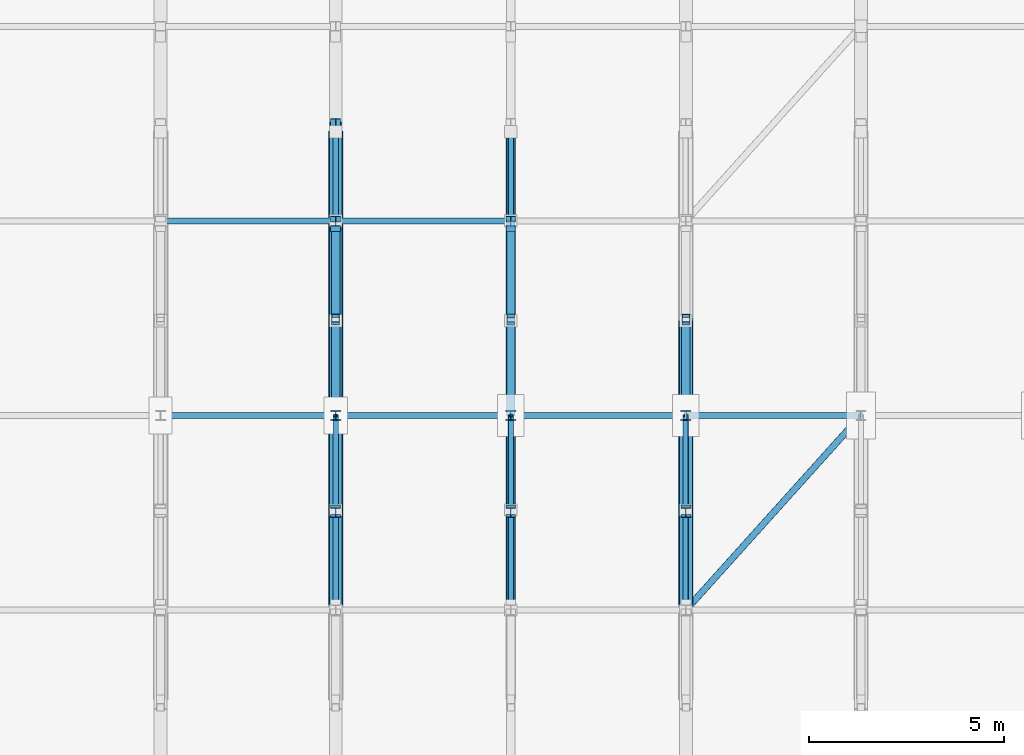
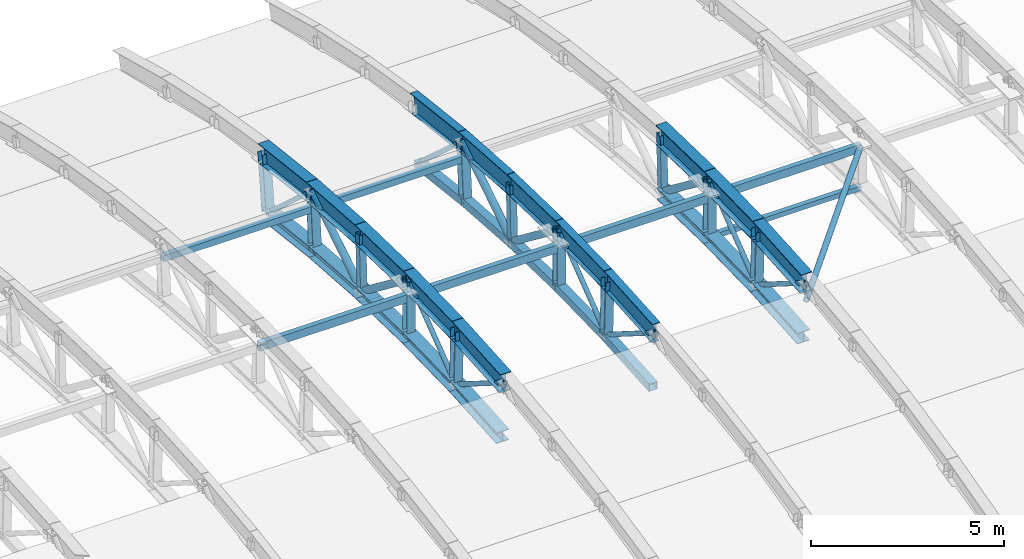
# One storey, part 24 of 53: 46 members, 13 beams.
"""IFC4 building model written with IfcOpenShell, lengths in metres."""

from ifc_helpers import new_model, si_unit, direction, frame, origin, origin_2d, place, context, subcontext, project, spatial, hollow_rectangle, hollow_circle, i_section, extrude, material, material_profile, profile_set, type_object, element, save


model = new_model("IFC4")

# Units and contexts
model_context = context("Model", 3, precision=1e-05, world=origin(), true_north=direction((0.0, 1.0)))
body_context = subcontext(model_context, "Body", "Model", "MODEL_VIEW")
ifc_project = project(units=[si_unit("LENGTHUNIT", "METRE"), si_unit("AREAUNIT", "SQUARE_METRE"), si_unit("VOLUMEUNIT", "CUBIC_METRE"), si_unit("PLANEANGLEUNIT", "RADIAN"), si_unit("MASSUNIT", "GRAM", prefix="KILO")], contexts=[model_context])

# Site, building, storey
site_placement = place(None, origin())
site = spatial("IfcSite", under=ifc_project, at=site_placement, CompositionType="ELEMENT")
building_placement = place(site_placement, origin())
building = spatial("IfcBuilding", under=site, at=building_placement, Name="Cazmaro Siding Exhibition Halls", CompositionType="ELEMENT")
storey_placement = place(building_placement, frame((0.0, 0.0, 21.0)))
storey = spatial("IfcBuildingStorey", under=building, at=storey_placement, Name="L04", CompositionType="ELEMENT", Elevation=21.0)

# Beams
ifc_material_1 = material(Name="Steel ASTM A992 Grade 50", Category="steel")
ifc_material_profile_1 = material_profile(ifc_material_1, i_section(OverallWidth=0.327880859375, OverallDepth=0.626953125, WebThickness=0.01708984375, FlangeThickness=0.028076171875, at=origin_2d()), Name="W24X146")
ifc_profile_set_1 = profile_set([ifc_material_profile_1], Name="Steel ASTM A992 Grade 50")
beam_type_1 = type_object("IfcBeamType", Name="AR-01", PredefinedType="USERDEFINED", material=ifc_profile_set_1)
beam_1_placement = place(storey_placement, frame((139.5, 89.0, 2.26611328125), z_axis=(0.0, 0.997537204184, 0.070139334669), x_axis=(-1.0, 0.0, 0.0)))
element("IfcBeam", 1, at=beam_1_placement, inside=storey, type_object=beam_type_1, Name="Space frame barrel vault arched rib AR-01 BM-1049", ObjectType="ARCHED RIB", PredefinedType="USERDEFINED", context=body_context, shape_type="SweptSolid", body=[
    extrude(i_section(OverallWidth=0.327880859375, OverallDepth=0.626953125, WebThickness=0.01708984375, FlangeThickness=0.028076171875, at=origin_2d()), origin(), (0.0, 0.0, 1.0), 2.506103515625),
])
for number, where, z_axis, x_axis, name in (
    (2, (139.5, 91.5, 2.44189453125), (0.0, 0.999730009742, 0.023235912336), (-1.0, 0.0, 0.0), "Space frame barrel vault arched rib AR-01 BM-1050"),
    (3, (139.5, 94.0, 2.5), (0.0, 0.999730009742, -0.023235912336), (-1.0, 0.0, 0.0), "Space frame barrel vault arched rib AR-01 BM-1051"),
):
    element("IfcBeam", number, at=place(storey_placement, frame(where, z_axis=z_axis, x_axis=x_axis)), inside=storey, type_object=beam_type_1, Name=name, ObjectType="ARCHED RIB", PredefinedType="USERDEFINED", context=body_context, shape_type="SweptSolid", body=[
        extrude(i_section(OverallWidth=0.327880859375, OverallDepth=0.626953125, WebThickness=0.01708984375, FlangeThickness=0.028076171875, at=origin_2d()), origin(), (0.0, 0.0, 1.0), 2.500732421875),
    ])
ifc_material_2 = material(Name="Steel ASTM A992 Grade 50", Category="steel")
ifc_material_profile_2 = material_profile(ifc_material_2, i_section(OverallWidth=0.324951171875, OverallDepth=0.612060546875, WebThickness=0.012939453125, FlangeThickness=0.01904296875, at=origin_2d()), Name="W24X104")
ifc_profile_set_2 = profile_set([ifc_material_profile_2], Name="Steel ASTM A992 Grade 50")
beam_type_2 = type_object("IfcBeamType", Name="AR-02", PredefinedType="USERDEFINED", material=ifc_profile_set_2)
beam_2_placement = place(storey_placement, frame((130.5, 89.0, 2.26611328125), z_axis=(0.0, 0.997537204184, 0.070139334669), x_axis=(-1.0, 0.0, 0.0)))
element("IfcBeam", 4, at=beam_2_placement, inside=storey, type_object=beam_type_2, Name="Space frame barrel vault arched rib AR-02 BM-1001", ObjectType="ARCHED RIB", PredefinedType="USERDEFINED", context=body_context, shape_type="SweptSolid", body=[
    extrude(i_section(OverallWidth=0.324951171875, OverallDepth=0.612060546875, WebThickness=0.012939453125, FlangeThickness=0.01904296875, at=origin_2d()), origin(), (0.0, 0.0, 1.0), 2.506103515625),
])
for number, where, z_axis, x_axis, name in (
    (5, (130.5, 91.5, 2.44189453125), (0.0, 0.999730009742, 0.023235912336), (-1.0, 0.0, 0.0), "Space frame barrel vault arched rib AR-02 BM-1002"),
    (6, (130.5, 94.0, 2.5), (0.0, 0.999730009742, -0.023235912336), (-1.0, 0.0, 0.0), "Space frame barrel vault arched rib AR-02 BM-1003"),
):
    element("IfcBeam", number, at=place(storey_placement, frame(where, z_axis=z_axis, x_axis=x_axis)), inside=storey, type_object=beam_type_2, Name=name, ObjectType="ARCHED RIB", PredefinedType="USERDEFINED", context=body_context, shape_type="SweptSolid", body=[
        extrude(i_section(OverallWidth=0.324951171875, OverallDepth=0.612060546875, WebThickness=0.012939453125, FlangeThickness=0.01904296875, at=origin_2d()), origin(), (0.0, 0.0, 1.0), 2.500732421875),
    ])
beam_3_placement = place(storey_placement, frame((130.5, 96.5, 2.44189453125), z_axis=(0.0, 0.997537204184, -0.070139334669), x_axis=(-1.0, 0.0, 0.0)))
element("IfcBeam", 7, at=beam_3_placement, inside=storey, type_object=beam_type_2, Name="Space frame barrel vault arched rib AR-02 BM-1004", ObjectType="ARCHED RIB", PredefinedType="USERDEFINED", context=body_context, shape_type="SweptSolid", body=[
    extrude(i_section(OverallWidth=0.324951171875, OverallDepth=0.612060546875, WebThickness=0.012939453125, FlangeThickness=0.01904296875, at=origin_2d()), origin(), (0.0, 0.0, 1.0), 2.506103515625),
])
beam_4_placement = place(storey_placement, frame((130.5, 99.0, 2.26611328125), z_axis=(0.0, 0.993147293786, -0.116869383693), x_axis=(-1.0, 0.0, 0.0)))
element("IfcBeam", 8, at=beam_4_placement, inside=storey, type_object=beam_type_2, Name="Space frame barrel vault arched rib AR-02 BM-1005", ObjectType="ARCHED RIB", PredefinedType="USERDEFINED", context=body_context, shape_type="SweptSolid", body=[
    extrude(i_section(OverallWidth=0.324951171875, OverallDepth=0.612060546875, WebThickness=0.012939453125, FlangeThickness=0.01904296875, at=origin_2d()), origin(), (0.0, 0.0, 1.0), 2.517333984375),
])
ifc_material_3 = material(Name="Steel ASTM A992 Grade 50", Category="steel")
ifc_material_profile_3 = material_profile(ifc_material_3, i_section(OverallWidth=0.22900390625, OverallDepth=0.612060546875, WebThickness=0.011962890625, FlangeThickness=0.02001953125, at=origin_2d()), Name="W24X84")
ifc_profile_set_3 = profile_set([ifc_material_profile_3], Name="Steel ASTM A992 Grade 50")
beam_type_3 = type_object("IfcBeamType", Name="AR-03", PredefinedType="USERDEFINED", material=ifc_profile_set_3)
beam_5_placement = place(storey_placement, frame((135.0, 89.0, 2.26611328125), z_axis=(0.0, 0.997537204184, 0.070139334669), x_axis=(-1.0, 0.0, 0.0)))
element("IfcBeam", 9, at=beam_5_placement, inside=storey, type_object=beam_type_3, Name="Space frame barrel vault arched rib AR-03 BM-1025", ObjectType="ARCHED RIB", PredefinedType="USERDEFINED", context=body_context, shape_type="SweptSolid", body=[
    extrude(i_section(OverallWidth=0.22900390625, OverallDepth=0.612060546875, WebThickness=0.011962890625, FlangeThickness=0.02001953125, at=origin_2d()), origin(), (0.0, 0.0, 1.0), 2.506103515625),
])
for number, where, z_axis, x_axis, name in (
    (10, (135.0, 91.5, 2.44189453125), (0.0, 0.999730009742, 0.023235912336), (-1.0, 0.0, 0.0), "Space frame barrel vault arched rib AR-03 BM-1026"),
    (11, (135.0, 94.0, 2.5), (0.0, 0.999730009742, -0.023235912336), (-1.0, 0.0, 0.0), "Space frame barrel vault arched rib AR-03 BM-1027"),
):
    element("IfcBeam", number, at=place(storey_placement, frame(where, z_axis=z_axis, x_axis=x_axis)), inside=storey, type_object=beam_type_3, Name=name, ObjectType="ARCHED RIB", PredefinedType="USERDEFINED", context=body_context, shape_type="SweptSolid", body=[
        extrude(i_section(OverallWidth=0.22900390625, OverallDepth=0.612060546875, WebThickness=0.011962890625, FlangeThickness=0.02001953125, at=origin_2d()), origin(), (0.0, 0.0, 1.0), 2.500732421875),
    ])
beam_6_placement = place(storey_placement, frame((135.0, 96.5, 2.44189453125), z_axis=(0.0, 0.997537204184, -0.070139334669), x_axis=(-1.0, 0.0, 0.0)))
element("IfcBeam", 12, at=beam_6_placement, inside=storey, type_object=beam_type_3, Name="Space frame barrel vault arched rib AR-03 BM-1028", ObjectType="ARCHED RIB", PredefinedType="USERDEFINED", context=body_context, shape_type="SweptSolid", body=[
    extrude(i_section(OverallWidth=0.22900390625, OverallDepth=0.612060546875, WebThickness=0.011962890625, FlangeThickness=0.02001953125, at=origin_2d()), origin(), (0.0, 0.0, 1.0), 2.506103515625),
])
beam_7_placement = place(storey_placement, frame((135.0, 99.0, 2.26611328125), z_axis=(0.0, 0.993147293786, -0.116869383693), x_axis=(-1.0, 0.0, 0.0)))
element("IfcBeam", 13, at=beam_7_placement, inside=storey, type_object=beam_type_3, Name="Space frame barrel vault arched rib AR-03 BM-1029", ObjectType="ARCHED RIB", PredefinedType="USERDEFINED", context=body_context, shape_type="SweptSolid", body=[
    extrude(i_section(OverallWidth=0.22900390625, OverallDepth=0.612060546875, WebThickness=0.011962890625, FlangeThickness=0.02001953125, at=origin_2d()), origin(), (0.0, 0.0, 1.0), 2.517333984375),
])

# Members
ifc_material_4 = material(Name="Steel ASTM A500 Grade C", Category="steel")
ifc_material_profile_4 = material_profile(ifc_material_4, hollow_rectangle(XDim=0.152099609375, YDim=0.152099609375, WallThickness=0.009033203125, at=origin_2d()), Name="HSS6X6X3/8")
ifc_profile_set_4 = profile_set([ifc_material_profile_4], Name="Steel ASTM A500 Grade C")
member_type_1 = type_object("IfcMemberType", Name="CS-01", PredefinedType="STRUT", material=ifc_profile_set_4)
member_1_placement = place(storey_placement, frame((139.5, 94.0, 0.699951171875), z_axis=(1.0, 0.0, 0.0), x_axis=(0.0, 1.0, 0.0)))
element("IfcMember", 14, at=member_1_placement, inside=storey, type_object=member_type_1, Name="Space frame vault ridge compression strut CS-01 MEM-2228", PredefinedType="STRUT", context=body_context, shape_type="SweptSolid", body=[
    extrude(hollow_rectangle(XDim=0.152099609375, YDim=0.152099609375, WallThickness=0.009033203125, at=origin_2d()), origin(), (0.0, 0.0, 1.0), 4.5),
])
ifc_material_5 = material(Name="Steel ASTM A500 Grade C", Category="steel")
ifc_material_profile_5 = material_profile(ifc_material_5, hollow_rectangle(XDim=0.152099609375, YDim=0.202880859375, WallThickness=0.011962890625, at=origin_2d()), Name="HSS8X6X1/2")
ifc_profile_set_5 = profile_set([ifc_material_profile_5], Name="Steel ASTM A500 Grade C")
member_type_2 = type_object("IfcMemberType", Name="RP-01", PredefinedType="PURLIN", material=ifc_profile_set_5)
for number, where, z_axis, x_axis, name in (
    (15, (126.0, 99.0, 1.72607421875), (1.0, 0.0, 0.0), (0.0, 1.0, 0.0), "Space frame barrel vault purlin RP-01 MEM-2186"),
    (16, (130.5, 99.0, 1.72607421875), (1.0, 0.0, 0.0), (0.0, 1.0, 0.0), "Space frame barrel vault purlin RP-01 MEM-2197"),
):
    element("IfcMember", number, at=place(storey_placement, frame(where, z_axis=z_axis, x_axis=x_axis)), inside=storey, type_object=member_type_2, Name=name, PredefinedType="PURLIN", context=body_context, shape_type="SweptSolid", body=[
        extrude(hollow_rectangle(XDim=0.152099609375, YDim=0.202880859375, WallThickness=0.011962890625, at=origin_2d()), origin(), (0.0, 0.0, 1.0), 4.5),
    ])
ifc_material_6 = material(Name="Steel ASTM A500 Grade C", Category="steel")
ifc_material_profile_6 = material_profile(ifc_material_6, hollow_rectangle(XDim=0.152099609375, YDim=0.25390625, WallThickness=0.011962890625, at=origin_2d()), Name="HSS10X6X1/2")
ifc_profile_set_6 = profile_set([ifc_material_profile_6], Name="Steel ASTM A500 Grade C")
member_type_3 = type_object("IfcMemberType", Name="RP-04", PredefinedType="PURLIN", material=ifc_profile_set_6)
for number, where, z_axis, x_axis, name in (
    (17, (126.0, 94.0, 1.9599609375), (1.0, 0.0, 0.0), (0.0, 1.0, 0.0), "Space frame barrel vault purlin RP-04 MEM-2185"),
    (18, (130.5, 94.0, 1.9599609375), (1.0, 0.0, 0.0), (0.0, 1.0, 0.0), "Space frame barrel vault purlin RP-04 MEM-2196"),
    (19, (135.0, 94.0, 1.9599609375), (1.0, 0.0, 0.0), (0.0, 1.0, 0.0), "Space frame barrel vault purlin RP-04 MEM-2207"),
    (20, (139.5, 94.0, 1.9599609375), (1.0, 0.0, 0.0), (0.0, 1.0, 0.0), "Space frame barrel vault purlin RP-04 MEM-2218"),
):
    element("IfcMember", number, at=place(storey_placement, frame(where, z_axis=z_axis, x_axis=x_axis)), inside=storey, type_object=member_type_3, Name=name, PredefinedType="PURLIN", context=body_context, shape_type="SweptSolid", body=[
        extrude(hollow_rectangle(XDim=0.152099609375, YDim=0.25390625, WallThickness=0.011962890625, at=origin_2d()), origin(), (0.0, 0.0, 1.0), 4.5),
    ])
ifc_material_7 = material(Name="Steel ASTM A500 Grade C", Category="steel")
ifc_material_profile_7 = material_profile(ifc_material_7, hollow_rectangle(XDim=0.25390625, YDim=0.25390625, WallThickness=0.014892578125, at=origin_2d()), Name="HSS10X10X5/8")
ifc_profile_set_7 = profile_set([ifc_material_profile_7], Name="Steel ASTM A500 Grade C")
member_type_4 = type_object("IfcMemberType", Name="TC-01", PredefinedType="CHORD", material=ifc_profile_set_7)
member_2_placement = place(storey_placement, frame((135.0, 89.139892578125, 0.472900390625), z_axis=(0.0, 0.997529419526, 0.070249962135), x_axis=(-1.0, 0.0, 0.0)))
element("IfcMember", 21, at=member_2_placement, inside=storey, type_object=member_type_4, Name="Space frame barrel vault bottom chord TC-01 MEM-1393", PredefinedType="CHORD", context=body_context, shape_type="SweptSolid", body=[
    extrude(hollow_rectangle(XDim=0.25390625, YDim=0.25390625, WallThickness=0.014892578125, at=origin_2d()), origin(), (0.0, 0.0, 1.0), 2.436279296875),
])
for number, where, z_axis, x_axis, name in (
    (22, (135.0, 91.570068359375, 0.64404296875), (0.0, 0.99973541783, 0.023002050707), (-1.0, 0.0, 0.0), "Space frame barrel vault bottom chord TC-01 MEM-1395"),
    (23, (135.0, 94.0, 0.699951171875), (0.0, 0.99973541783, -0.023002050707), (-1.0, 0.0, 0.0), "Space frame barrel vault bottom chord TC-01 MEM-1397"),
):
    element("IfcMember", number, at=place(storey_placement, frame(where, z_axis=z_axis, x_axis=x_axis)), inside=storey, type_object=member_type_4, Name=name, PredefinedType="CHORD", context=body_context, shape_type="SweptSolid", body=[
        extrude(hollow_rectangle(XDim=0.25390625, YDim=0.25390625, WallThickness=0.014892578125, at=origin_2d()), origin(), (0.0, 0.0, 1.0), 2.4306640625),
    ])
member_3_placement = place(storey_placement, frame((135.0, 96.429931640625, 0.64404296875), z_axis=(0.0, 0.997529419526, -0.070249962135), x_axis=(-1.0, 0.0, 0.0)))
element("IfcMember", 24, at=member_3_placement, inside=storey, type_object=member_type_4, Name="Space frame barrel vault bottom chord TC-01 MEM-1399", PredefinedType="CHORD", context=body_context, shape_type="SweptSolid", body=[
    extrude(hollow_rectangle(XDim=0.25390625, YDim=0.25390625, WallThickness=0.014892578125, at=origin_2d()), origin(), (0.0, 0.0, 1.0), 2.436279296875),
])
member_4_placement = place(storey_placement, frame((135.0, 98.860107421875, 0.472900390625), z_axis=(0.0, 0.993149923187, -0.116847037079), x_axis=(-1.0, 0.0, 0.0)))
element("IfcMember", 25, at=member_4_placement, inside=storey, type_object=member_type_4, Name="Space frame barrel vault bottom chord TC-01 MEM-1401", PredefinedType="CHORD", context=body_context, shape_type="SweptSolid", body=[
    extrude(hollow_rectangle(XDim=0.25390625, YDim=0.25390625, WallThickness=0.014892578125, at=origin_2d()), origin(), (0.0, 0.0, 1.0), 2.44677734375),
])
ifc_material_8 = material(Name="Steel ASTM A992 Grade 50", Category="steel")
ifc_material_profile_8 = material_profile(ifc_material_8, i_section(OverallWidth=0.37109375, OverallDepth=0.364013671875, WebThickness=0.012939453125, FlangeThickness=0.02197265625, at=origin_2d()), Name="W14X109")
ifc_profile_set_8 = profile_set([ifc_material_profile_8], Name="Steel ASTM A992 Grade 50")
member_type_5 = type_object("IfcMemberType", Name="TC-06", PredefinedType="CHORD", material=ifc_profile_set_8)
member_5_placement = place(storey_placement, frame((130.5, 89.139892578125, 0.472900390625), z_axis=(0.0, 0.997529419526, 0.070249962135), x_axis=(-1.0, 0.0, 0.0)))
element("IfcMember", 26, at=member_5_placement, inside=storey, type_object=member_type_5, Name="Space frame barrel vault bottom chord TC-06 MEM-1322", PredefinedType="CHORD", context=body_context, shape_type="SweptSolid", body=[
    extrude(i_section(OverallWidth=0.37109375, OverallDepth=0.364013671875, WebThickness=0.012939453125, FlangeThickness=0.02197265625, at=origin_2d()), origin(), (0.0, 0.0, 1.0), 2.436279296875),
])
for number, where, z_axis, x_axis, name in (
    (27, (130.5, 91.570068359375, 0.64404296875), (0.0, 0.99973541783, 0.023002050707), (-1.0, 0.0, 0.0), "Space frame barrel vault bottom chord TC-06 MEM-1324"),
    (28, (130.5, 94.0, 0.699951171875), (0.0, 0.99973541783, -0.023002050707), (-1.0, 0.0, 0.0), "Space frame barrel vault bottom chord TC-06 MEM-1326"),
):
    element("IfcMember", number, at=place(storey_placement, frame(where, z_axis=z_axis, x_axis=x_axis)), inside=storey, type_object=member_type_5, Name=name, PredefinedType="CHORD", context=body_context, shape_type="SweptSolid", body=[
        extrude(i_section(OverallWidth=0.37109375, OverallDepth=0.364013671875, WebThickness=0.012939453125, FlangeThickness=0.02197265625, at=origin_2d()), origin(), (0.0, 0.0, 1.0), 2.4306640625),
    ])
member_6_placement = place(storey_placement, frame((130.5, 96.429931640625, 0.64404296875), z_axis=(0.0, 0.997529419526, -0.070249962135), x_axis=(-1.0, 0.0, 0.0)))
element("IfcMember", 29, at=member_6_placement, inside=storey, type_object=member_type_5, Name="Space frame barrel vault bottom chord TC-06 MEM-1328", PredefinedType="CHORD", context=body_context, shape_type="SweptSolid", body=[
    extrude(i_section(OverallWidth=0.37109375, OverallDepth=0.364013671875, WebThickness=0.012939453125, FlangeThickness=0.02197265625, at=origin_2d()), origin(), (0.0, 0.0, 1.0), 2.436279296875),
])
member_7_placement = place(storey_placement, frame((130.5, 98.860107421875, 0.472900390625), z_axis=(0.0, 0.993149923187, -0.116847037079), x_axis=(-1.0, 0.0, 0.0)))
element("IfcMember", 30, at=member_7_placement, inside=storey, type_object=member_type_5, Name="Space frame barrel vault bottom chord TC-06 MEM-1330", PredefinedType="CHORD", context=body_context, shape_type="SweptSolid", body=[
    extrude(i_section(OverallWidth=0.37109375, OverallDepth=0.364013671875, WebThickness=0.012939453125, FlangeThickness=0.02197265625, at=origin_2d()), origin(), (0.0, 0.0, 1.0), 2.44677734375),
])
member_8_placement = place(storey_placement, frame((139.5, 89.139892578125, 0.472900390625), z_axis=(0.0, 0.997529419526, 0.070249962135), x_axis=(-1.0, 0.0, 0.0)))
element("IfcMember", 31, at=member_8_placement, inside=storey, type_object=member_type_5, Name="Space frame barrel vault bottom chord TC-06 MEM-1464", PredefinedType="CHORD", context=body_context, shape_type="SweptSolid", body=[
    extrude(i_section(OverallWidth=0.37109375, OverallDepth=0.364013671875, WebThickness=0.012939453125, FlangeThickness=0.02197265625, at=origin_2d()), origin(), (0.0, 0.0, 1.0), 2.436279296875),
])
for number, where, z_axis, x_axis, name in (
    (32, (139.5, 91.570068359375, 0.64404296875), (0.0, 0.99973541783, 0.023002050707), (-1.0, 0.0, 0.0), "Space frame barrel vault bottom chord TC-06 MEM-1466"),
    (33, (139.5, 94.0, 0.699951171875), (0.0, 0.99973541783, -0.023002050707), (-1.0, 0.0, 0.0), "Space frame barrel vault bottom chord TC-06 MEM-1468"),
):
    element("IfcMember", number, at=place(storey_placement, frame(where, z_axis=z_axis, x_axis=x_axis)), inside=storey, type_object=member_type_5, Name=name, PredefinedType="CHORD", context=body_context, shape_type="SweptSolid", body=[
        extrude(i_section(OverallWidth=0.37109375, OverallDepth=0.364013671875, WebThickness=0.012939453125, FlangeThickness=0.02197265625, at=origin_2d()), origin(), (0.0, 0.0, 1.0), 2.4306640625),
    ])
ifc_material_9 = material(Name="Steel ASTM A500 Grade C", Category="steel")
ifc_material_profile_9 = material_profile(ifc_material_9, hollow_rectangle(XDim=0.202880859375, YDim=0.202880859375, WallThickness=0.011962890625, at=origin_2d()), Name="HSS8X8X1/2")
ifc_profile_set_9 = profile_set([ifc_material_profile_9], Name="Steel ASTM A500 Grade C")
member_type_6 = type_object("IfcMemberType", Name="TP-01", PredefinedType="POST", material=ifc_profile_set_9)
for number, where, z_axis, x_axis, name in (
    (34, (130.5, 96.429931640625, 0.64404296875), (0.0, 0.038943818889, 0.999241401749), (-1.0, 0.0, 0.0), "Space frame barrel vault post TP-01 MEM-1362"),
    (35, (135.0, 96.429931640625, 0.64404296875), (0.0, 0.038943818889, 0.999241401749), (-1.0, 0.0, 0.0), "Space frame barrel vault post TP-01 MEM-1433"),
    (36, (139.5, 96.429931640625, 0.64404296875), (0.0, 0.038943818889, 0.999241401749), (-1.0, 0.0, 0.0), "Space frame barrel vault post TP-01 MEM-1504"),
):
    element("IfcMember", number, at=place(storey_placement, frame(where, z_axis=z_axis, x_axis=x_axis)), inside=storey, type_object=member_type_6, Name=name, PredefinedType="POST", context=body_context, shape_type="SweptSolid", body=[
        extrude(hollow_rectangle(XDim=0.202880859375, YDim=0.202880859375, WallThickness=0.011962890625, at=origin_2d()), origin(), (0.0, 0.0, 1.0), 1.79931640625),
    ])
ifc_material_10 = material(Name="Steel ASTM A992 Grade 50", Category="steel")
ifc_material_profile_10 = material_profile(ifc_material_10, i_section(OverallWidth=0.25390625, OverallDepth=0.25390625, WebThickness=0.009033203125, FlangeThickness=0.013916015625, at=origin_2d()), Name="W10X49")
ifc_profile_set_10 = profile_set([ifc_material_profile_10], Name="Steel ASTM A992 Grade 50")
member_type_7 = type_object("IfcMemberType", Name="TP-04", PredefinedType="POST", material=ifc_profile_set_10)
member_9_placement = place(storey_placement, frame((130.5, 91.570068359375, 0.64404296875), z_axis=(0.0, -0.038943818889, 0.999241401749), x_axis=(1.0, 0.0, 0.0)))
element("IfcMember", 37, at=member_9_placement, inside=storey, type_object=member_type_7, Name="Space frame barrel vault post TP-04 MEM-1360", PredefinedType="POST", context=body_context, shape_type="SweptSolid", body=[
    extrude(i_section(OverallWidth=0.25390625, OverallDepth=0.25390625, WebThickness=0.009033203125, FlangeThickness=0.013916015625, at=origin_2d()), origin(), (0.0, 0.0, 1.0), 1.79931640625),
])
member_10_placement = place(storey_placement, frame((130.5, 94.0, 0.699951171875), z_axis=(0.0, 0.0, 1.0), x_axis=(1.0, 0.0, 0.0)))
element("IfcMember", 38, at=member_10_placement, inside=storey, type_object=member_type_7, Name="Space frame barrel vault post TP-04 MEM-1361", PredefinedType="POST", context=body_context, shape_type="SweptSolid", body=[
    extrude(i_section(OverallWidth=0.25390625, OverallDepth=0.25390625, WebThickness=0.009033203125, FlangeThickness=0.013916015625, at=origin_2d()), origin(), (0.0, 0.0, 1.0), 1.800048828125),
])
member_11_placement = place(storey_placement, frame((130.5, 98.860107421875, 0.472900390625), z_axis=(0.0, 0.077775943468, 0.996970863475), x_axis=(-1.0, 0.0, 0.0)))
element("IfcMember", 39, at=member_11_placement, inside=storey, type_object=member_type_7, Name="Space frame barrel vault post TP-04 MEM-1363", PredefinedType="POST", context=body_context, shape_type="SweptSolid", body=[
    extrude(i_section(OverallWidth=0.25390625, OverallDepth=0.25390625, WebThickness=0.009033203125, FlangeThickness=0.013916015625, at=origin_2d()), origin(), (0.0, 0.0, 1.0), 1.798583984375),
])
member_12_placement = place(storey_placement, frame((130.5, 101.2900390625, 0.18701171875), z_axis=(0.0, 0.116825484133, 0.993152458718), x_axis=(-1.0, 0.0, 0.0)))
element("IfcMember", 40, at=member_12_placement, inside=storey, type_object=member_type_7, Name="Space frame barrel vault post TP-04 MEM-1364", PredefinedType="POST", context=body_context, shape_type="SweptSolid", body=[
    extrude(i_section(OverallWidth=0.25390625, OverallDepth=0.25390625, WebThickness=0.009033203125, FlangeThickness=0.013916015625, at=origin_2d()), origin(), (0.0, 0.0, 1.0), 1.797119140625),
])
member_13_placement = place(storey_placement, frame((135.0, 91.570068359375, 0.64404296875), z_axis=(0.0, -0.038943818889, 0.999241401749), x_axis=(1.0, 0.0, 0.0)))
element("IfcMember", 41, at=member_13_placement, inside=storey, type_object=member_type_7, Name="Space frame barrel vault post TP-04 MEM-1431", PredefinedType="POST", context=body_context, shape_type="SweptSolid", body=[
    extrude(i_section(OverallWidth=0.25390625, OverallDepth=0.25390625, WebThickness=0.009033203125, FlangeThickness=0.013916015625, at=origin_2d()), origin(), (0.0, 0.0, 1.0), 1.79931640625),
])
member_14_placement = place(storey_placement, frame((135.0, 94.0, 0.699951171875), z_axis=(0.0, 0.0, 1.0), x_axis=(1.0, 0.0, 0.0)))
element("IfcMember", 42, at=member_14_placement, inside=storey, type_object=member_type_7, Name="Space frame barrel vault post TP-04 MEM-1432", PredefinedType="POST", context=body_context, shape_type="SweptSolid", body=[
    extrude(i_section(OverallWidth=0.25390625, OverallDepth=0.25390625, WebThickness=0.009033203125, FlangeThickness=0.013916015625, at=origin_2d()), origin(), (0.0, 0.0, 1.0), 1.800048828125),
])
member_15_placement = place(storey_placement, frame((135.0, 98.860107421875, 0.472900390625), z_axis=(0.0, 0.077775943468, 0.996970863475), x_axis=(-1.0, 0.0, 0.0)))
element("IfcMember", 43, at=member_15_placement, inside=storey, type_object=member_type_7, Name="Space frame barrel vault post TP-04 MEM-1434", PredefinedType="POST", context=body_context, shape_type="SweptSolid", body=[
    extrude(i_section(OverallWidth=0.25390625, OverallDepth=0.25390625, WebThickness=0.009033203125, FlangeThickness=0.013916015625, at=origin_2d()), origin(), (0.0, 0.0, 1.0), 1.798583984375),
])
member_16_placement = place(storey_placement, frame((139.5, 91.570068359375, 0.64404296875), z_axis=(0.0, -0.038943818889, 0.999241401749), x_axis=(1.0, 0.0, 0.0)))
element("IfcMember", 44, at=member_16_placement, inside=storey, type_object=member_type_7, Name="Space frame barrel vault post TP-04 MEM-1502", PredefinedType="POST", context=body_context, shape_type="SweptSolid", body=[
    extrude(i_section(OverallWidth=0.25390625, OverallDepth=0.25390625, WebThickness=0.009033203125, FlangeThickness=0.013916015625, at=origin_2d()), origin(), (0.0, 0.0, 1.0), 1.79931640625),
])
member_17_placement = place(storey_placement, frame((139.5, 94.0, 0.699951171875), z_axis=(0.0, 0.0, 1.0), x_axis=(1.0, 0.0, 0.0)))
element("IfcMember", 45, at=member_17_placement, inside=storey, type_object=member_type_7, Name="Space frame barrel vault post TP-04 MEM-1503", PredefinedType="POST", context=body_context, shape_type="SweptSolid", body=[
    extrude(i_section(OverallWidth=0.25390625, OverallDepth=0.25390625, WebThickness=0.009033203125, FlangeThickness=0.013916015625, at=origin_2d()), origin(), (0.0, 0.0, 1.0), 1.800048828125),
])
ifc_material_11 = material(Name="Steel ASTM A500 Grade C", Category="steel")
ifc_material_profile_11 = material_profile(ifc_material_11, hollow_circle(Radius=0.109619140625, WallThickness=0.012939453125, at=origin_2d()), Name="PIPE8XS")
ifc_profile_set_11 = profile_set([ifc_material_profile_11], Name="Steel ASTM A500 Grade C")
member_type_8 = type_object("IfcMemberType", Name="WB-01", PredefinedType="BRACE", material=ifc_profile_set_11)
member_18_placement = place(storey_placement, frame((130.5, 94.0, 2.5), z_axis=(0.0, 0.794708988455, -0.60699062898), x_axis=(-1.0, 0.0, 0.0)))
element("IfcMember", 46, at=member_18_placement, inside=storey, type_object=member_type_8, Name="Space frame barrel vault diagonal WB-01 MEM-1327", PredefinedType="BRACE", context=body_context, shape_type="SweptSolid", body=[
    extrude(hollow_circle(Radius=0.109619140625, WallThickness=0.012939453125, at=origin_2d()), origin(), (0.0, 0.0, 1.0), 3.0576171875),
])
member_19_placement = place(storey_placement, frame((130.5, 96.429931640625, 0.64404296875), z_axis=(0.0, 0.84565684294, 0.533726993872), x_axis=(-1.0, 0.0, 0.0)))
element("IfcMember", 47, at=member_19_placement, inside=storey, type_object=member_type_8, Name="Space frame barrel vault diagonal WB-01 MEM-1329", PredefinedType="BRACE", context=body_context, shape_type="SweptSolid", body=[
    extrude(hollow_circle(Radius=0.109619140625, WallThickness=0.012939453125, at=origin_2d()), origin(), (0.0, 0.0, 1.0), 3.0390625),
])
member_20_placement = place(storey_placement, frame((135.0, 94.0, 2.5), z_axis=(0.0, 0.794708988455, -0.60699062898), x_axis=(-1.0, 0.0, 0.0)))
element("IfcMember", 48, at=member_20_placement, inside=storey, type_object=member_type_8, Name="Space frame barrel vault diagonal WB-01 MEM-1398", PredefinedType="BRACE", context=body_context, shape_type="SweptSolid", body=[
    extrude(hollow_circle(Radius=0.109619140625, WallThickness=0.012939453125, at=origin_2d()), origin(), (0.0, 0.0, 1.0), 3.0576171875),
])
member_21_placement = place(storey_placement, frame((135.0, 96.429931640625, 0.64404296875), z_axis=(0.0, 0.84565684294, 0.533726993872), x_axis=(-1.0, 0.0, 0.0)))
element("IfcMember", 49, at=member_21_placement, inside=storey, type_object=member_type_8, Name="Space frame barrel vault diagonal WB-01 MEM-1400", PredefinedType="BRACE", context=body_context, shape_type="SweptSolid", body=[
    extrude(hollow_circle(Radius=0.109619140625, WallThickness=0.012939453125, at=origin_2d()), origin(), (0.0, 0.0, 1.0), 3.0390625),
])
member_22_placement = place(storey_placement, frame((139.5, 94.0, 2.5), z_axis=(0.0, 0.794708988455, -0.60699062898), x_axis=(-1.0, 0.0, 0.0)))
element("IfcMember", 50, at=member_22_placement, inside=storey, type_object=member_type_8, Name="Space frame barrel vault diagonal WB-01 MEM-1469", PredefinedType="BRACE", context=body_context, shape_type="SweptSolid", body=[
    extrude(hollow_circle(Radius=0.109619140625, WallThickness=0.012939453125, at=origin_2d()), origin(), (0.0, 0.0, 1.0), 3.0576171875),
])
ifc_material_12 = material(Name="Steel ASTM A500 Grade C", Category="steel")
ifc_material_profile_12 = material_profile(ifc_material_12, hollow_circle(Radius=0.083984375, WallThickness=0.01806640625, at=origin_2d()), Name="PIPE6XXS")
ifc_profile_set_12 = profile_set([ifc_material_profile_12], Name="Steel ASTM A500 Grade C")
member_type_9 = type_object("IfcMemberType", Name="WB-05", PredefinedType="BRACE", material=ifc_profile_set_12)
member_23_placement = place(storey_placement, frame((139.5, 89.0, 1.72607421875), z_axis=(0.668560740132, 0.742845266814, 0.034748328399), x_axis=(-0.743294146247, 0.668964731622, 0.0)))
element("IfcMember", 51, at=member_23_placement, inside=storey, type_object=member_type_9, Name="Space frame barrel vault wind brace WB-05 MEM-2225", PredefinedType="BRACE", context=body_context, shape_type="SweptSolid", body=[
    extrude(hollow_circle(Radius=0.083984375, WallThickness=0.01806640625, at=origin_2d()), origin(), (0.0, 0.0, 1.0), 6.73095703125),
])
ifc_material_13 = material(Name="Steel ASTM A500 Grade C", Category="steel")
ifc_material_profile_13 = material_profile(ifc_material_13, hollow_circle(Radius=0.070556640625, WallThickness=0.01904296875, at=origin_2d()), Name="PIPE5XXS")
ifc_profile_set_13 = profile_set([ifc_material_profile_13], Name="Steel ASTM A500 Grade C")
member_type_10 = type_object("IfcMemberType", Name="WB-07", PredefinedType="BRACE", material=ifc_profile_set_13)
member_24_placement = place(storey_placement, frame((130.5, 89.0, 2.26611328125), z_axis=(0.0, 0.84565684294, -0.533726993872), x_axis=(-1.0, 0.0, 0.0)))
element("IfcMember", 52, at=member_24_placement, inside=storey, type_object=member_type_10, Name="Space frame barrel vault diagonal WB-07 MEM-1323", PredefinedType="BRACE", context=body_context, shape_type="SweptSolid", body=[
    extrude(hollow_circle(Radius=0.070556640625, WallThickness=0.01904296875, at=origin_2d()), origin(), (0.0, 0.0, 1.0), 3.0390625),
])
member_25_placement = place(storey_placement, frame((130.5, 91.570068359375, 0.64404296875), z_axis=(0.0, 0.794708988455, 0.60699062898), x_axis=(-1.0, 0.0, 0.0)))
element("IfcMember", 53, at=member_25_placement, inside=storey, type_object=member_type_10, Name="Space frame barrel vault diagonal WB-07 MEM-1325", PredefinedType="BRACE", context=body_context, shape_type="SweptSolid", body=[
    extrude(hollow_circle(Radius=0.070556640625, WallThickness=0.01904296875, at=origin_2d()), origin(), (0.0, 0.0, 1.0), 3.0576171875),
])
member_26_placement = place(storey_placement, frame((130.5, 99.0, 2.26611328125), z_axis=(0.0, 0.740382789782, -0.672185483772), x_axis=(-1.0, 0.0, 0.0)))
element("IfcMember", 54, at=member_26_placement, inside=storey, type_object=member_type_10, Name="Space frame barrel vault diagonal WB-07 MEM-1331", PredefinedType="BRACE", context=body_context, shape_type="SweptSolid", body=[
    extrude(hollow_circle(Radius=0.070556640625, WallThickness=0.01904296875, at=origin_2d()), origin(), (0.0, 0.0, 1.0), 3.093017578125),
])
member_27_placement = place(storey_placement, frame((135.0, 89.0, 2.26611328125), z_axis=(0.0, 0.84565684294, -0.533726993872), x_axis=(-1.0, 0.0, 0.0)))
element("IfcMember", 55, at=member_27_placement, inside=storey, type_object=member_type_10, Name="Space frame barrel vault diagonal WB-07 MEM-1394", PredefinedType="BRACE", context=body_context, shape_type="SweptSolid", body=[
    extrude(hollow_circle(Radius=0.070556640625, WallThickness=0.01904296875, at=origin_2d()), origin(), (0.0, 0.0, 1.0), 3.0390625),
])
member_28_placement = place(storey_placement, frame((135.0, 91.570068359375, 0.64404296875), z_axis=(0.0, 0.794708988455, 0.60699062898), x_axis=(-1.0, 0.0, 0.0)))
element("IfcMember", 56, at=member_28_placement, inside=storey, type_object=member_type_10, Name="Space frame barrel vault diagonal WB-07 MEM-1396", PredefinedType="BRACE", context=body_context, shape_type="SweptSolid", body=[
    extrude(hollow_circle(Radius=0.070556640625, WallThickness=0.01904296875, at=origin_2d()), origin(), (0.0, 0.0, 1.0), 3.0576171875),
])
member_29_placement = place(storey_placement, frame((135.0, 99.0, 2.26611328125), z_axis=(0.0, 0.740382789782, -0.672185483772), x_axis=(-1.0, 0.0, 0.0)))
element("IfcMember", 57, at=member_29_placement, inside=storey, type_object=member_type_10, Name="Space frame barrel vault diagonal WB-07 MEM-1402", PredefinedType="BRACE", context=body_context, shape_type="SweptSolid", body=[
    extrude(hollow_circle(Radius=0.070556640625, WallThickness=0.01904296875, at=origin_2d()), origin(), (0.0, 0.0, 1.0), 3.093017578125),
])
member_30_placement = place(storey_placement, frame((139.5, 89.0, 2.26611328125), z_axis=(0.0, 0.84565684294, -0.533726993872), x_axis=(-1.0, 0.0, 0.0)))
element("IfcMember", 58, at=member_30_placement, inside=storey, type_object=member_type_10, Name="Space frame barrel vault diagonal WB-07 MEM-1465", PredefinedType="BRACE", context=body_context, shape_type="SweptSolid", body=[
    extrude(hollow_circle(Radius=0.070556640625, WallThickness=0.01904296875, at=origin_2d()), origin(), (0.0, 0.0, 1.0), 3.0390625),
])
member_31_placement = place(storey_placement, frame((139.5, 91.570068359375, 0.64404296875), z_axis=(0.0, 0.794708988455, 0.60699062898), x_axis=(-1.0, 0.0, 0.0)))
element("IfcMember", 59, at=member_31_placement, inside=storey, type_object=member_type_10, Name="Space frame barrel vault diagonal WB-07 MEM-1467", PredefinedType="BRACE", context=body_context, shape_type="SweptSolid", body=[
    extrude(hollow_circle(Radius=0.070556640625, WallThickness=0.01904296875, at=origin_2d()), origin(), (0.0, 0.0, 1.0), 3.0576171875),
])

save(model, "model.ifc")
